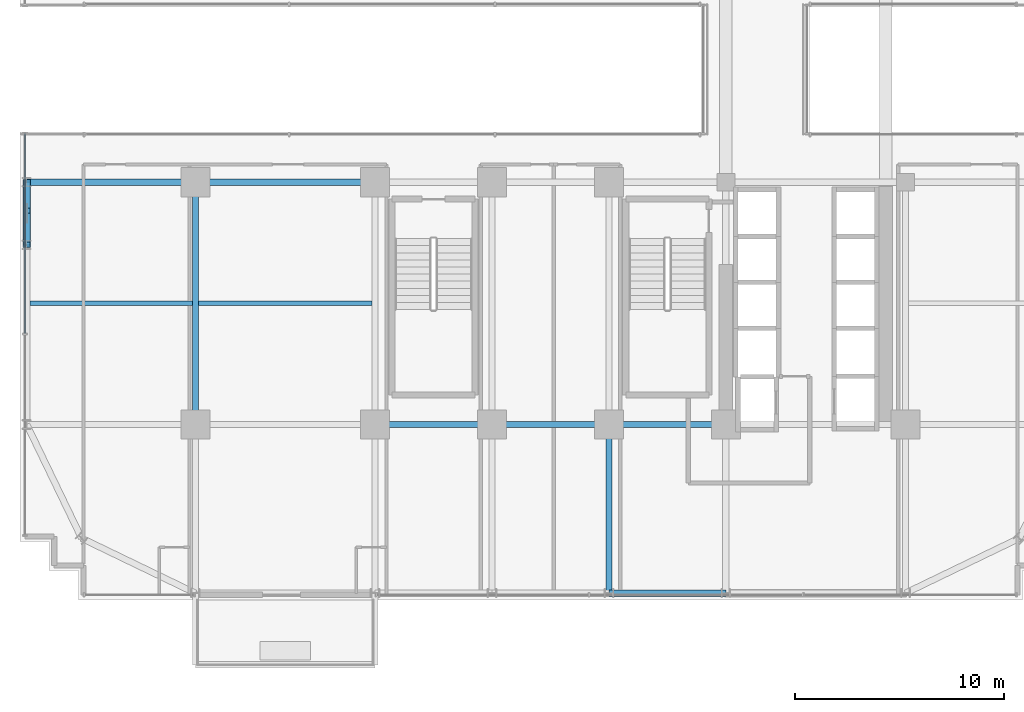
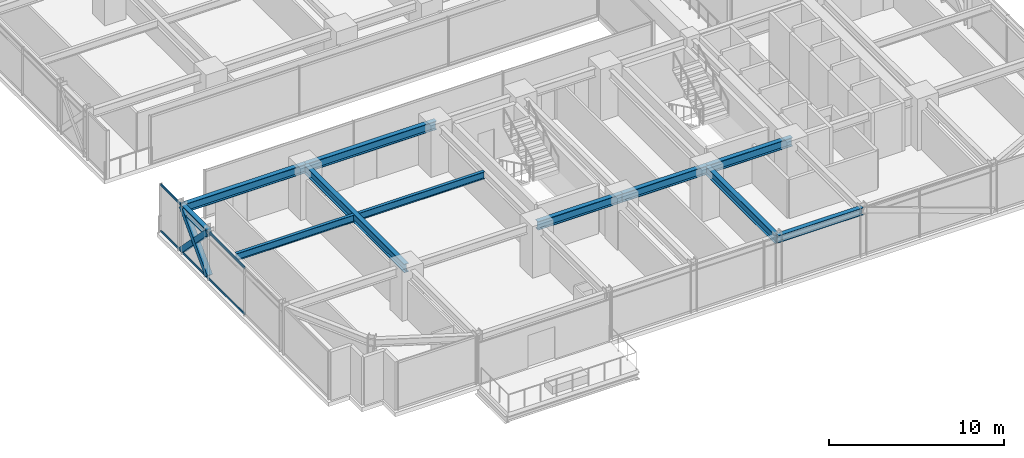
# One storey, part 7 of 35: 11 beams, 5 members, 1 element without a shape of its own.
"""IFC4 building model written with IfcOpenShell, lengths in metres."""

from ifc_helpers import new_model, si_unit, direction, frame, origin, origin_2d, place, context, subcontext, project, spatial, hollow_rectangle, i_section, extrude, source, transform, mapped, material, material_profile, profile_set, type_object, element, aggregate, save


model = new_model("IFC4")

# Units and contexts
model_context = context("Model", 3, precision=1e-05, world=origin(), true_north=direction((0.0, 1.0)))
body_context = subcontext(model_context, "Body", "Model", "MODEL_VIEW")
ifc_project = project(units=[si_unit("LENGTHUNIT", "METRE"), si_unit("AREAUNIT", "SQUARE_METRE"), si_unit("VOLUMEUNIT", "CUBIC_METRE"), si_unit("PLANEANGLEUNIT", "RADIAN"), si_unit("MASSUNIT", "GRAM", prefix="KILO")], contexts=[model_context])

# Site, building, storey
site_placement = place(None, origin())
site = spatial("IfcSite", under=ifc_project, at=site_placement, CompositionType="ELEMENT")
building_placement = place(site_placement, origin())
building = spatial("IfcBuilding", under=site, at=building_placement, Name="Nahalor Promenade Grand Hotel", CompositionType="ELEMENT")
storey_placement = place(building_placement, frame((0.0, 0.0, 43.35009765625)))
storey = spatial("IfcBuildingStorey", under=building, at=storey_placement, Name="L09", CompositionType="ELEMENT", Elevation=43.35009765625)

# Beams
ifc_material_1 = material(Name="Steel S355JR", Category="steel")
ifc_material_profile_1 = material_profile(ifc_material_1, i_section(OverallWidth=0.3, OverallDepth=0.6, WebThickness=0.0155, FlangeThickness=0.03, at=origin_2d()), Name="HEB 600")
ifc_profile_set_1 = profile_set([ifc_material_profile_1], Name="Steel S355JR")
beam_type_1 = type_object("IfcBeamType", Name="Beam-Girder-HEB600", PredefinedType="BEAM", material=ifc_profile_set_1)
shared_shape_1 = source(origin(), body_context, "Body", "SweptSolid", [
    extrude(i_section(OverallWidth=0.3, OverallDepth=0.6, WebThickness=0.0155, FlangeThickness=0.03, at=origin_2d()), origin(), (0.0, 0.0, 1.0), 8.60009765625),
])
beam_1_placement = place(storey_placement, frame((-17.0, -5.39990234375, 3.06982421875), z_axis=(1.0, 0.0, 0.0), x_axis=(0.0, 1.0, 0.0)))
element("IfcBeam", 1, at=beam_1_placement, inside=storey, type_object=beam_type_1, Name="BM-L09-GX-1-1", PredefinedType="BEAM", context=body_context, shape_type="MappedRepresentation", body=[
    mapped(shared_shape_1, transform((0.0, 0.0, 0.0), scale=1.0)),
])
shared_shape_2 = source(origin(), body_context, "Body", "SweptSolid", [
    extrude(i_section(OverallWidth=0.3, OverallDepth=0.6, WebThickness=0.0155, FlangeThickness=0.03, at=origin_2d()), origin(), (0.0, 0.0, 1.0), 5.599853515625),
])
for number, where, z_axis, x_axis, name in (
    (2, (-8.39990234375, -17.0, 3.06982421875), (1.0, 0.0, 0.0), (0.0, 1.0, 0.0), "BM-L09-GX-0-2"),
    (3, (2.800048828125, -17.0, 3.06982421875), (1.0, 0.0, 0.0), (0.0, 1.0, 0.0), "BM-L09-GX-0-4"),
):
    element("IfcBeam", number, at=place(storey_placement, frame(where, z_axis=z_axis, x_axis=x_axis)), inside=storey, type_object=beam_type_1, Name=name, PredefinedType="BEAM", context=body_context, shape_type="MappedRepresentation", body=[
        mapped(shared_shape_2, transform((0.0, 0.0, 0.0), scale=1.0)),
    ])
shared_shape_3 = source(origin(), body_context, "Body", "SweptSolid", [
    extrude(i_section(OverallWidth=0.3, OverallDepth=0.6, WebThickness=0.0155, FlangeThickness=0.03, at=origin_2d()), origin(), (0.0, 0.0, 1.0), 5.60009765625),
])
beam_2_placement = place(storey_placement, frame((-2.800048828125, -17.0, 3.06982421875), z_axis=(1.0, 0.0, 0.0), x_axis=(0.0, 1.0, 0.0)))
element("IfcBeam", 4, at=beam_2_placement, inside=storey, type_object=beam_type_1, Name="BM-L09-GX-0-3", PredefinedType="BEAM", context=body_context, shape_type="MappedRepresentation", body=[
    mapped(shared_shape_3, transform((0.0, 0.0, 0.0), scale=1.0)),
])
shared_shape_4 = source(origin(), body_context, "Body", "SweptSolid", [
    extrude(i_section(OverallWidth=0.3, OverallDepth=0.6, WebThickness=0.0155, FlangeThickness=0.03, at=origin_2d()), origin(), (0.0, 0.0, 1.0), 11.60009765625),
])
beam_3_placement = place(storey_placement, frame((-17.0, -17.0, 3.06982421875), z_axis=(0.0, 1.0, 0.0), x_axis=(-1.0, 0.0, 0.0)))
element("IfcBeam", 5, at=beam_3_placement, inside=storey, type_object=beam_type_1, Name="BM-L09-GY-0-1", PredefinedType="BEAM", context=body_context, shape_type="MappedRepresentation", body=[
    mapped(shared_shape_4, transform((0.0, 0.0, 0.0), scale=1.0)),
])
ifc_material_profile_2 = material_profile(ifc_material_1, i_section(OverallWidth=0.3, OverallDepth=0.5, WebThickness=0.0145, FlangeThickness=0.028, at=origin_2d()), Name="HEB 500")
ifc_profile_set_2 = profile_set([ifc_material_profile_2], Name="Steel S355JR")
beam_type_2 = type_object("IfcBeamType", Name="Beam-Spandrel-HEB500", PredefinedType="SPANDREL", material=ifc_profile_set_2)
shared_shape_5 = source(origin(), body_context, "Body", "SweptSolid", [
    extrude(i_section(OverallWidth=0.3, OverallDepth=0.5, WebThickness=0.0145, FlangeThickness=0.028, at=origin_2d()), origin(), (0.0, 0.0, 1.0), 5.599853515625),
])
beam_4_placement = place(storey_placement, frame((2.800048828125, -25.080078125, 3.119873046875), z_axis=(1.0, 0.0, 0.0), x_axis=(0.0, 1.0, 0.0)))
element("IfcBeam", 6, at=beam_4_placement, inside=storey, type_object=beam_type_2, Name="BM-L09-SP-S-3", PredefinedType="SPANDREL", context=body_context, shape_type="MappedRepresentation", body=[
    mapped(shared_shape_5, transform((0.0, 0.0, 0.0), scale=1.0)),
])
shared_shape_6 = source(origin(), body_context, "Body", "SweptSolid", [
    extrude(i_section(OverallWidth=0.3, OverallDepth=0.5, WebThickness=0.0145, FlangeThickness=0.028, at=origin_2d()), origin(), (0.0, 0.0, 1.0), 3.0),
])
beam_5_placement = place(storey_placement, frame((-25.080078125, -8.39990234375, 3.119873046875), z_axis=(0.0, 1.0, 0.0), x_axis=(-1.0, 0.0, 0.0)))
element("IfcBeam", 7, at=beam_5_placement, inside=storey, type_object=beam_type_2, Name="BM-L09-SP-W-1", PredefinedType="SPANDREL", context=body_context, shape_type="MappedRepresentation", body=[
    mapped(shared_shape_6, transform((0.0, 0.0, 0.0), scale=1.0)),
])
ifc_material_profile_3 = material_profile(ifc_material_1, i_section(OverallWidth=0.2, OverallDepth=0.5, WebThickness=0.0102, FlangeThickness=0.016, at=origin_2d()), Name="IPE 500")
ifc_profile_set_3 = profile_set([ifc_material_profile_3], Name="Steel S355JR")
beam_type_3 = type_object("IfcBeamType", Name="Beam-Joist-IPE500", PredefinedType="JOIST", material=ifc_profile_set_3)
shared_shape_7 = source(origin(), body_context, "Body", "SweptSolid", [
    extrude(i_section(OverallWidth=0.2, OverallDepth=0.5, WebThickness=0.0102, FlangeThickness=0.016, at=origin_2d()), origin(), (0.0, 0.0, 1.0), 8.300048828125),
])
beam_6_placement = place(storey_placement, frame((-16.85009765625, -11.199951171875, 3.119873046875), z_axis=(1.0, 0.0, 0.0), x_axis=(0.0, 1.0, 0.0)))
element("IfcBeam", 8, at=beam_6_placement, inside=storey, type_object=beam_type_3, Name="BM-L09-JSW-0-1", PredefinedType="JOIST", context=body_context, shape_type="MappedRepresentation", body=[
    mapped(shared_shape_7, transform((0.0, 0.0, 0.0), scale=1.0)),
])
shared_shape_8 = source(origin(), body_context, "Body", "SweptSolid", [
    extrude(i_section(OverallWidth=0.3, OverallDepth=0.6, WebThickness=0.0155, FlangeThickness=0.03, at=origin_2d()), origin(), (0.0, 0.0, 1.0), 8.080078125),
])
for number, where, z_axis, x_axis, name in (
    (9, (-25.080078125, -5.39990234375, 3.06982421875), (1.0, 0.0, 0.0), (0.0, 1.0, 0.0), "BM-L09-GX-1-0"),
    (10, (2.800048828125, -25.080078125, 3.06982421875), (0.0, 1.0, 0.0), (-1.0, 0.0, 0.0), "BM-L09-GY-3-0"),
):
    element("IfcBeam", number, at=place(storey_placement, frame(where, z_axis=z_axis, x_axis=x_axis)), inside=storey, type_object=beam_type_1, Name=name, PredefinedType="BEAM", context=body_context, shape_type="MappedRepresentation", body=[
        mapped(shared_shape_8, transform((0.0, 0.0, 0.0), scale=1.0)),
    ])
shared_shape_9 = source(origin(), body_context, "Body", "SweptSolid", [
    extrude(i_section(OverallWidth=0.2, OverallDepth=0.5, WebThickness=0.0102, FlangeThickness=0.016, at=origin_2d()), origin(), (0.0, 0.0, 1.0), 7.780029296875),
])
beam_7_placement = place(storey_placement, frame((-24.929931640625, -11.199951171875, 3.119873046875), z_axis=(1.0, 0.0, 0.0), x_axis=(0.0, 1.0, 0.0)))
element("IfcBeam", 11, at=beam_7_placement, inside=storey, type_object=beam_type_3, Name="BM-L09-JSW-0-0", PredefinedType="JOIST", context=body_context, shape_type="MappedRepresentation", body=[
    mapped(shared_shape_9, transform((0.0, 0.0, 0.0), scale=1.0)),
])

# Members
ifc_material_profile_4 = material_profile(ifc_material_1, hollow_rectangle(XDim=0.35, YDim=0.35, WallThickness=0.02, at=origin_2d()), Name="SHS 350x350x20")
ifc_profile_set_4 = profile_set([ifc_material_profile_4], Name="Steel S355JR")
member_type_1 = type_object("IfcMemberType", Name="Mem-VoidBrace-SHS350", PredefinedType="BRACE", material=ifc_profile_set_4)
shared_shape_10 = source(origin(), body_context, "Body", "SweptSolid", [
    extrude(hollow_rectangle(XDim=0.35, YDim=0.35, WallThickness=0.02, at=origin_2d()), origin(), (0.0, 0.0, 1.0), 4.29248046875),
])
member_1_placement = place(storey_placement, frame((-25.080078125, -8.39990234375, 0.14990234375), z_axis=(0.0, 0.698897904453, 0.715221447631), x_axis=(-1.0, 0.0, 0.0)))
element("IfcMember", 12, at=member_1_placement, inside=storey, type_object=member_type_1, Name="EXO-L09-VX1-W0", PredefinedType="BRACE", context=body_context, shape_type="MappedRepresentation", body=[
    mapped(shared_shape_10, transform((0.0, 0.0, 0.0), scale=1.0)),
])
shared_shape_11 = source(origin(), body_context, "Body", "SweptSolid", [
    extrude(hollow_rectangle(XDim=0.35, YDim=0.35, WallThickness=0.02, at=origin_2d()), origin(), (0.0, 0.0, 1.0), 1.959228515625),
])
for number, where, z_axis, x_axis, name in (
    (13, (-25.080078125, -5.39990234375, 0.14990234375), (0.0, -0.698960471031, 0.715160303663), (1.0, 0.0, 0.0), "EXO-L09-VX2-W0A"),
    (14, (-25.080078125, -7.03076171875, 1.818603515625), (0.0, -0.698834435327, 0.715283462692), (1.0, 0.0, 0.0), "EXO-L09-VX2-W0B"),
):
    element("IfcMember", number, at=place(storey_placement, frame(where, z_axis=z_axis, x_axis=x_axis)), inside=storey, type_object=member_type_1, Name=name, PredefinedType="BRACE", context=body_context, shape_type="MappedRepresentation", body=[
        mapped(shared_shape_11, transform((0.0, 0.0, 0.0), scale=1.0)),
    ])

# Curtain wall, members
ifc_material_2 = material(Name="Anodised Bronze Aluminium EN AW-6063 T6", Category="aluminium")
curtain_wall_type = type_object("IfcCurtainWallType", Name="CW3 Elliptical-Void Collar Unitised Curtain Wall", PredefinedType="USERDEFINED", material=ifc_material_2)
curtain_wall_placement = place(storey_placement, origin())
curtain_wall = element("IfcCurtainWall", 15, at=curtain_wall_placement, inside=storey, type_object=curtain_wall_type, Name="L09 Curtain Wall CW-L09-W-1", ObjectType="UNITISED_CURTAIN_WALL", PredefinedType="USERDEFINED")
ifc_material_profile_5 = material_profile(ifc_material_2, hollow_rectangle(XDim=0.07, YDim=0.14, WallThickness=0.004, at=origin_2d()), Name="CWT 70x140x4")
ifc_profile_set_5 = profile_set([ifc_material_profile_5], Name="Anodised Bronze Aluminium EN AW-6063 T6")
member_type_2 = type_object("IfcMemberType", Name="CWT3 Void Collar Transom 70x140", PredefinedType="USERDEFINED", material=ifc_profile_set_5)
shared_shape_12 = source(origin(), body_context, "Body", "SweptSolid", [
    extrude(hollow_rectangle(XDim=0.07, YDim=0.14, WallThickness=0.004, at=origin_2d()), origin(), (0.0, 0.0, 1.0), 9.575439453125),
])
member_2_placement = place(storey_placement, frame((-25.159912109375, -12.64453125, 0.06982421875), z_axis=(0.0, 1.0, 0.0), x_axis=(-1.0, 0.0, 0.0)))
member_2 = element("IfcMember", 16, at=member_2_placement, type_object=member_type_2, Name="CW-L09-W-1 Transom 1-0", ObjectType="TRANSOM", PredefinedType="USERDEFINED", context=body_context, shape_type="MappedRepresentation", body=[
    mapped(shared_shape_12, transform((0.0, 0.0, 0.0), scale=1.0)),
])
member_3_placement = place(storey_placement, frame((-25.159912109375, -12.64453125, 3.2998046875), z_axis=(0.0, 1.0, 0.0), x_axis=(-1.0, 0.0, 0.0)))
member_3 = element("IfcMember", 17, at=member_3_placement, type_object=member_type_2, Name="CW-L09-W-1 Transom 1-1", ObjectType="TRANSOM", PredefinedType="USERDEFINED", context=body_context, shape_type="MappedRepresentation", body=[
    mapped(shared_shape_12, transform((0.0, 0.0, 0.0), scale=1.0)),
])
aggregate(curtain_wall, [member_2, member_3])

save(model, "model.ifc")
